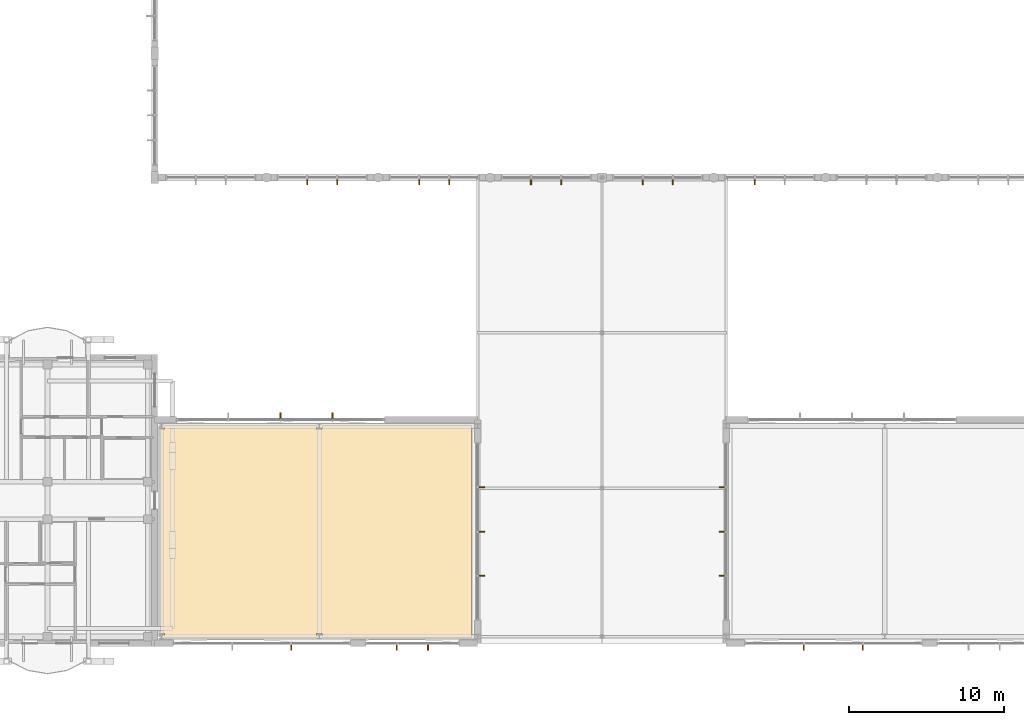
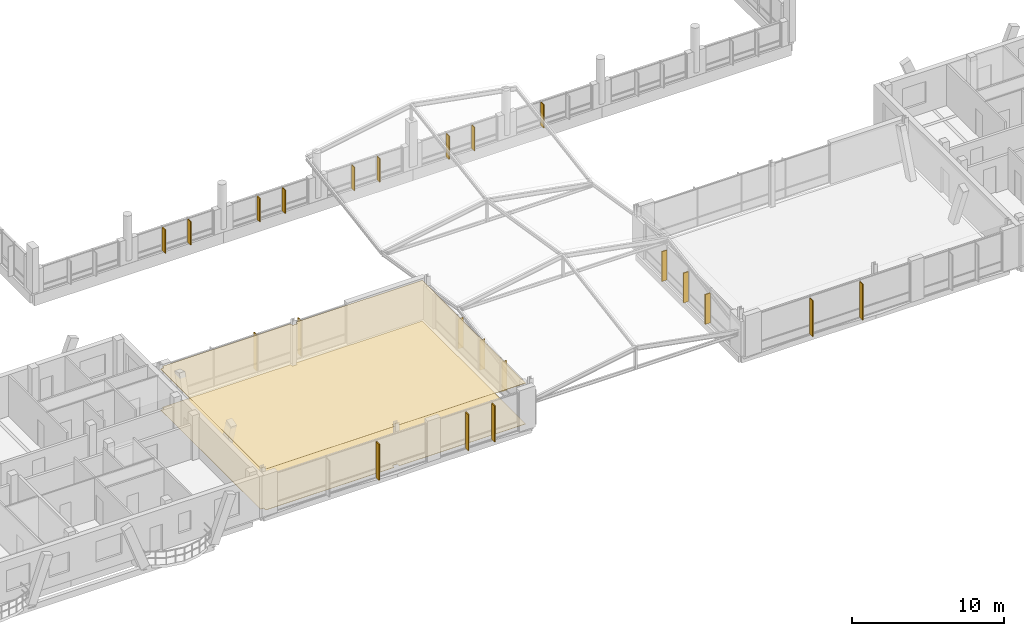
# One storey, part 174 of 189: 22 shading devices, 2 coverings.
"""IFC4 building model written with IfcOpenShell, lengths in metres."""

from ifc_helpers import new_model, si_unit, direction, frame, origin, origin_2d, place, context, subcontext, project, spatial, polyline, rectangle, outline, extrude, material, layer, layer_set, type_object, element, save


model = new_model("IFC4")

# Units and contexts
model_context = context("Model", 3, precision=1e-05, world=origin(), true_north=direction((0.0, 1.0)))
body_context = subcontext(model_context, "Body", "Model", "MODEL_VIEW")
ifc_project = project(units=[si_unit("LENGTHUNIT", "METRE"), si_unit("AREAUNIT", "SQUARE_METRE"), si_unit("VOLUMEUNIT", "CUBIC_METRE"), si_unit("PLANEANGLEUNIT", "RADIAN"), si_unit("MASSUNIT", "GRAM", prefix="KILO")], contexts=[model_context])

# Site, building, storey
site_placement = place(None, origin())
site = spatial("IfcSite", under=ifc_project, at=site_placement, CompositionType="ELEMENT")
building_placement = place(site_placement, origin())
building = spatial("IfcBuilding", under=site, at=building_placement, Name="Zavelmont Quarter", CompositionType="ELEMENT")
storey_placement = place(building_placement, frame((0.0, 0.0, 4.39990234375)))
storey = spatial("IfcBuildingStorey", under=building, at=storey_placement, Name="L01", CompositionType="ELEMENT", Elevation=4.39990234375)

# Coverings
ifc_material_1 = material(Name="Perforated acoustic gypsum board")
ifc_layer_1 = layer(ifc_material_1, 0.02490234375)
ifc_layer_set_1 = layer_set([ifc_layer_1], Name="Perforated acoustic gypsum board")
covering_type_1 = type_object("IfcCoveringType", Name="CV-CL01", PredefinedType="CEILING", material=ifc_layer_set_1)
covering_1_placement = place(storey_placement, frame((0.0, 0.0, 3.28515625)))
element("IfcCovering", 1, at=covering_1_placement, inside=storey, type_object=covering_type_1, Name="L01 Community Reading Studio acoustic ceiling", PredefinedType="CEILING", context=body_context, shape_type="SweptSolid", body=[
    extrude(outline(polyline([(55.580078125, 13.81005859375), (55.830078125, 13.81005859375), (55.830078125, 14.02001953125), (65.610107421875, 14.02001953125), (65.610107421875, 13.81005859375), (65.989990234375, 13.81005859375), (65.989990234375, 14.02001953125), (75.6201171875, 14.02001953125), (75.6201171875, 0.3798828125), (65.989990234375, 0.3798828125), (65.989990234375, 0.6298828125), (65.610107421875, 0.6298828125), (65.610107421875, 0.3798828125), (55.830078125, 0.3798828125), (55.830078125, 0.6298828125), (55.580078125, 0.6298828125), (55.580078125, 13.81005859375)])), origin(), (0.0, 0.0, 1.0), 0.02490234375),
])
ifc_material_2 = material(Name="Engineered European oak parquet")
ifc_layer_2 = layer(ifc_material_2, 0.02197265625)
ifc_layer_set_2 = layer_set([ifc_layer_2], Name="Engineered European oak parquet")
covering_type_2 = type_object("IfcCoveringType", Name="CV-FL01", PredefinedType="FLOORING", material=ifc_layer_set_2)
covering_2_placement = place(storey_placement, origin())
element("IfcCovering", 2, at=covering_2_placement, inside=storey, type_object=covering_type_2, Name="L01 Community Reading Studio floor finish", PredefinedType="FLOORING", context=body_context, shape_type="SweptSolid", body=[
    extrude(outline(polyline([(55.580078125, 13.81005859375), (55.830078125, 13.81005859375), (55.830078125, 14.02001953125), (65.610107421875, 14.02001953125), (65.610107421875, 13.81005859375), (65.989990234375, 13.81005859375), (65.989990234375, 14.02001953125), (75.6201171875, 14.02001953125), (75.6201171875, 0.3798828125), (65.989990234375, 0.3798828125), (65.989990234375, 0.6298828125), (65.610107421875, 0.6298828125), (65.610107421875, 0.3798828125), (55.830078125, 0.3798828125), (55.830078125, 0.6298828125), (55.580078125, 0.6298828125), (55.580078125, 13.81005859375)])), origin(), (0.0, 0.0, 1.0), 0.022216796875),
])

# Shading devices
ifc_material_3 = material(Name="Anodised aluminium EN AW-6063-T6", Category="aluminium")
shading_device_type_1 = type_object("IfcShadingDeviceType", Name="SD05", PredefinedType="JALOUSIE", material=ifc_material_3)
for number, where, z_axis, x_axis, name in (
    (3, (64.0, -0.260009765625, 0.050048828125), (0.0, 0.0, 1.0), (1.0, 0.0, 0.0), "L01 solar brise-soleil fin SD05"),
    (4, (70.800048828125, -0.260009765625, 0.050048828125), (0.0, 0.0, 1.0), (1.0, 0.0, 0.0), "L01 solar brise-soleil fin SD05"),
    (5, (72.800048828125, -0.260009765625, 0.050048828125), (0.0, 0.0, 1.0), (1.0, 0.0, 0.0), "L01 solar brise-soleil fin SD05"),
    (6, (63.300048828125, 14.659912109375, 0.050048828125), (0.0, 0.0, 1.0), (1.0, 0.0, 0.0), "L01 solar brise-soleil fin SD05"),
    (7, (66.64990234375, 14.659912109375, 0.050048828125), (0.0, 0.0, 1.0), (1.0, 0.0, 0.0), "L01 solar brise-soleil fin SD05"),
    (8, (97.0, -0.260009765625, 0.050048828125), (0.0, 0.0, 1.0), (1.0, 0.0, 0.0), "L01 solar brise-soleil fin SD05"),
    (9, (100.800048828125, -0.260009765625, 0.050048828125), (0.0, 0.0, 1.0), (1.0, 0.0, 0.0), "L01 solar brise-soleil fin SD05"),
):
    element("IfcShadingDevice", number, at=place(storey_placement, frame(where, z_axis=z_axis, x_axis=x_axis)), inside=storey, type_object=shading_device_type_1, Name=name, PredefinedType="JALOUSIE", context=body_context, shape_type="SweptSolid", body=[
        extrude(rectangle(XDim=0.070068359375, YDim=0.3798828125, at=origin_2d()), origin(), (0.0, 0.0, 1.0), 2.89990234375),
    ])
shading_device_type_2 = type_object("IfcShadingDeviceType", Name="SD06", PredefinedType="JALOUSIE", material=ifc_material_3)
for number, where, z_axis, x_axis, name in (
    (10, (65.033203125, 29.719970703125, -0.22998046875), (0.0, 0.0, 1.0), (1.0, 0.0, 0.0), "L01 solar brise-soleil fin SD06"),
    (11, (66.966796875, 29.719970703125, -0.22998046875), (0.0, 0.0, 1.0), (1.0, 0.0, 0.0), "L01 solar brise-soleil fin SD06"),
    (12, (72.2333984375, 29.719970703125, -0.22998046875), (0.0, 0.0, 1.0), (1.0, 0.0, 0.0), "L01 solar brise-soleil fin SD06"),
    (13, (74.166748046875, 29.719970703125, -0.22998046875), (0.0, 0.0, 1.0), (1.0, 0.0, 0.0), "L01 solar brise-soleil fin SD06"),
    (14, (79.433349609375, 29.719970703125, -0.22998046875), (0.0, 0.0, 1.0), (1.0, 0.0, 0.0), "L01 solar brise-soleil fin SD06"),
    (15, (81.36669921875, 29.719970703125, -0.22998046875), (0.0, 0.0, 1.0), (1.0, 0.0, 0.0), "L01 solar brise-soleil fin SD06"),
    (16, (86.63330078125, 29.719970703125, -0.22998046875), (0.0, 0.0, 1.0), (1.0, 0.0, 0.0), "L01 solar brise-soleil fin SD06"),
    (17, (88.566650390625, 29.719970703125, -0.22998046875), (0.0, 0.0, 1.0), (1.0, 0.0, 0.0), "L01 solar brise-soleil fin SD06"),
    (18, (93.833251953125, 29.719970703125, -0.22998046875), (0.0, 0.0, 1.0), (1.0, 0.0, 0.0), "L01 solar brise-soleil fin SD06"),
):
    element("IfcShadingDevice", number, at=place(storey_placement, frame(where, z_axis=z_axis, x_axis=x_axis)), inside=storey, type_object=shading_device_type_2, Name=name, PredefinedType="JALOUSIE", context=body_context, shape_type="SweptSolid", body=[
        extrude(rectangle(XDim=0.070068359375, YDim=0.3798828125, at=origin_2d()), origin(), (0.0, 0.0, 1.0), 1.875),
    ])
for number, where, z_axis, x_axis, name in (
    (19, (76.260009765625, 4.35009765625, 0.050048828125), (0.0, 0.0, 1.0), (0.0, 1.0, 0.0), "L01 solar brise-soleil fin SD06"),
    (20, (76.260009765625, 7.199951171875, 0.050048828125), (0.0, 0.0, 1.0), (0.0, 1.0, 0.0), "L01 solar brise-soleil fin SD06"),
    (21, (76.260009765625, 10.050048828125, 0.050048828125), (0.0, 0.0, 1.0), (0.0, 1.0, 0.0), "L01 solar brise-soleil fin SD06"),
    (22, (91.739990234375, 4.35009765625, 0.050048828125), (0.0, 0.0, 1.0), (0.0, 1.0, 0.0), "L01 solar brise-soleil fin SD06"),
    (23, (91.739990234375, 7.199951171875, 0.050048828125), (0.0, 0.0, 1.0), (0.0, 1.0, 0.0), "L01 solar brise-soleil fin SD06"),
    (24, (91.739990234375, 10.050048828125, 0.050048828125), (0.0, 0.0, 1.0), (0.0, 1.0, 0.0), "L01 solar brise-soleil fin SD06"),
):
    element("IfcShadingDevice", number, at=place(storey_placement, frame(where, z_axis=z_axis, x_axis=x_axis)), inside=storey, type_object=shading_device_type_2, Name=name, PredefinedType="JALOUSIE", context=body_context, shape_type="SweptSolid", body=[
        extrude(rectangle(XDim=0.070068359375, YDim=0.3798828125, at=origin_2d()), origin(), (0.0, 0.0, 1.0), 2.39990234375),
    ])

save(model, "model.ifc")
